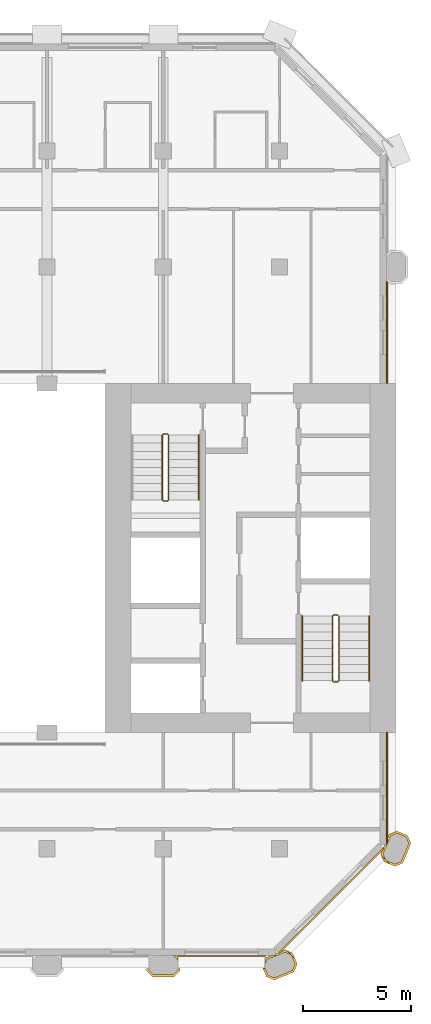
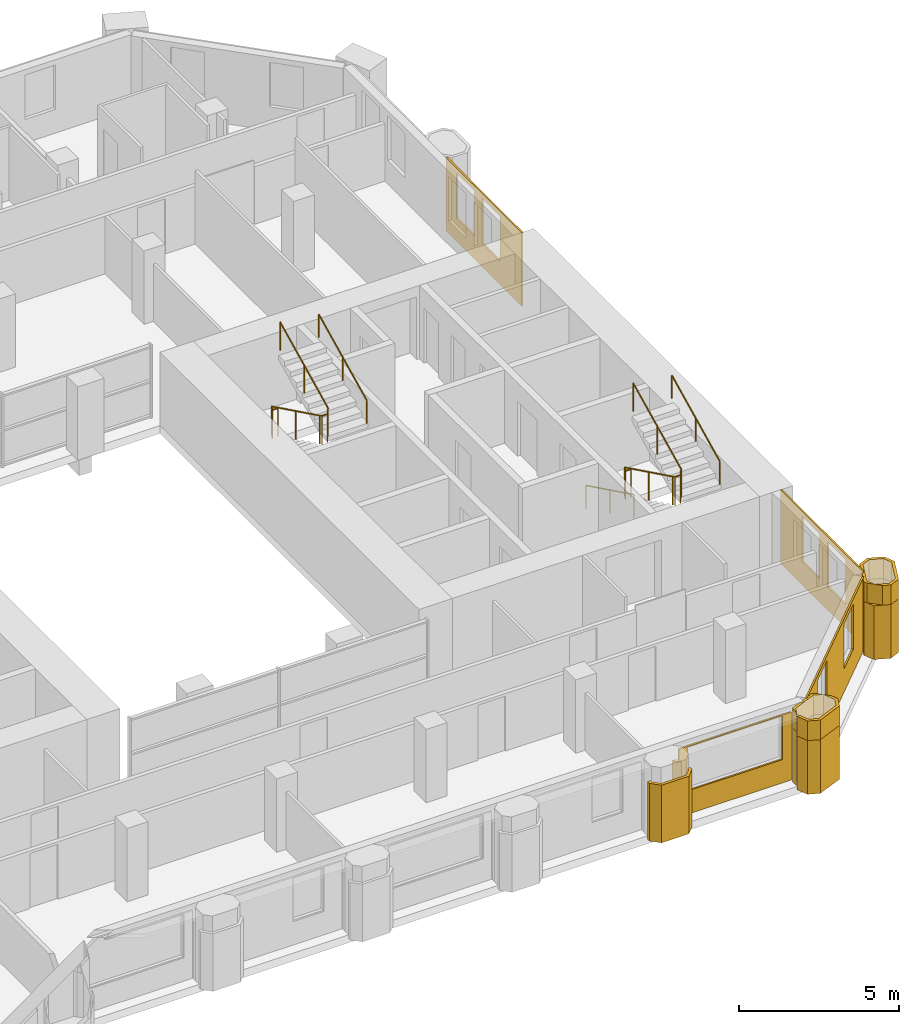
# One storey, part 13 of 14: 11 coverings, 5 railings.
"""IFC4 building model written with IfcOpenShell, lengths in metres."""

from ifc_helpers import new_model, si_unit, direction, frame, origin, origin_2d, place, context, subcontext, project, spatial, polyline, circle, outline, extrude, material, layer, layer_set, type_object, element, save


model = new_model("IFC4")

# Units and contexts
model_context = context("Model", 3, precision=1e-05, world=origin(), true_north=direction((0.0, 1.0)))
body_context = subcontext(model_context, "Body", "Model", "MODEL_VIEW")
ifc_project = project(units=[si_unit("LENGTHUNIT", "METRE"), si_unit("AREAUNIT", "SQUARE_METRE"), si_unit("VOLUMEUNIT", "CUBIC_METRE"), si_unit("PLANEANGLEUNIT", "RADIAN"), si_unit("MASSUNIT", "GRAM", prefix="KILO")], contexts=[model_context])

# Site, building, storey
site_placement = place(None, origin())
site = spatial("IfcSite", under=ifc_project, at=site_placement, CompositionType="ELEMENT")
building_placement = place(site_placement, origin())
building = spatial("IfcBuilding", under=site, at=building_placement, Name="Tabaq Tower and Sports Hall", CompositionType="ELEMENT")
storey_placement = place(building_placement, frame((0.0, 0.0, 230.199951171875)))
storey = spatial("IfcBuildingStorey", under=building, at=storey_placement, Name="L58", CompositionType="ELEMENT", Elevation=230.199951171875)

# Coverings
ifc_material_1 = material(Name="Precast concrete C60/75", Category="concrete")
ifc_layer_1 = layer(ifc_material_1, 0.10009765625)
ifc_layer_set_1 = layer_set([ifc_layer_1], Name="Column cladding 100")
covering_type_1 = type_object("IfcCoveringType", Name="Column cladding 100", PredefinedType="CLADDING", material=ifc_layer_set_1)
covering_1_placement = place(storey_placement, origin())
element("IfcCovering", 1, at=covering_1_placement, inside=storey, type_object=covering_type_1, Name="Column cladding L58 PC-7B-H3", PredefinedType="CLADDING", context=body_context, shape_type="SweptSolid", body=[
    extrude(outline(polyline([(31.62548828125, 5.24951171875), (31.724365234375, 5.24951171875), (31.724365234375, 5.1748046875), (31.94970703125, 4.949462890625), (32.850341796875, 4.949462890625), (33.07568359375, 5.1748046875), (33.07568359375, 5.24951171875), (33.17431640625, 5.24951171875), (33.17431640625, 5.1337890625), (32.89111328125, 4.8505859375), (31.908935546875, 4.8505859375), (31.62548828125, 5.1337890625), (31.62548828125, 5.24951171875)])), origin(), (0.0, 0.0, 1.0), 2.199951171875),
])
covering_2_placement = place(storey_placement, origin())
element("IfcCovering", 2, at=covering_2_placement, inside=storey, type_object=covering_type_1, Name="Column cladding L58 PC-7B-H3 3", PredefinedType="CLADDING", context=body_context, shape_type="SweptSolid", body=[
    extrude(outline(polyline([(33.074462890625, 5.62646484375), (32.8515625, 5.849365234375), (32.9912109375, 5.849365234375), (33.074462890625, 5.76611328125), (33.074462890625, 5.62646484375)])), origin(), (0.0, 0.0, 1.0), 2.199951171875),
])
covering_3_placement = place(storey_placement, origin())
element("IfcCovering", 3, at=covering_3_placement, inside=storey, type_object=covering_type_1, Name="Column cladding L58 PC-8B-H3", PredefinedType="CLADDING", context=body_context, shape_type="SweptSolid", body=[
    extrude(outline(polyline([(37.023681640625, 5.249755859375), (37.125244140625, 5.249755859375), (37.125244140625, 5.26416015625), (37.26220703125, 4.93359375), (37.556396484375, 4.811767578125), (38.38818359375, 5.15625), (38.510009765625, 5.450439453125), (38.337646484375, 5.866455078125), (38.04345703125, 5.98828125), (37.2119140625, 5.643798828125), (37.125244140625, 5.434814453125), (37.125244140625, 5.694580078125), (37.1357421875, 5.7197265625), (37.44921875, 5.849609375), (37.614013671875, 5.849609375), (37.614013671875, 5.91796875), (37.767578125, 5.9814453125), (37.799072265625, 5.9501953125), (37.875, 6.026123046875), (38.04345703125, 6.095947265625), (38.413818359375, 5.9423828125), (38.61767578125, 5.450439453125), (38.46435546875, 5.080078125), (37.556396484375, 4.7041015625), (37.186279296875, 4.857421875), (37.023681640625, 5.249755859375)])), origin(), (0.0, 0.0, 1.0), 2.050048828125),
])
covering_4_placement = place(storey_placement, frame((0.0, 0.0, 2.050048828125)))
element("IfcCovering", 4, at=covering_4_placement, inside=storey, type_object=covering_type_1, Name="Column cladding L58 PC-8B-H3 head", PredefinedType="CLADDING", context=body_context, shape_type="SweptSolid", body=[
    extrude(outline(polyline([(37.12548828125, 5.2626953125), (37.125732421875, 5.2626953125), (37.261962890625, 4.933349609375), (37.556396484375, 4.811279296875), (38.388427734375, 5.156005859375), (38.51025390625, 5.450439453125), (38.33935546875, 5.863525390625), (38.513916015625, 5.68896484375), (38.517333984375, 5.692138671875), (38.617431640625, 5.450439453125), (38.464111328125, 5.080322265625), (37.556396484375, 4.704345703125), (37.1865234375, 4.857666015625), (37.024169921875, 5.24951171875), (37.12548828125, 5.24951171875), (37.12548828125, 5.2626953125)])), origin(), (0.0, 0.0, 1.0), 0.75),
])
covering_5_placement = place(storey_placement, frame((0.0, 0.0, 2.050048828125)))
element("IfcCovering", 5, at=covering_5_placement, inside=storey, type_object=covering_type_1, Name="Column cladding L58 PC-8B-H3 head 2", PredefinedType="CLADDING", context=body_context, shape_type="SweptSolid", body=[
    extrude(outline(polyline([(37.125732421875, 5.4365234375), (37.12548828125, 5.4365234375), (37.12548828125, 5.694580078125), (37.135986328125, 5.7197265625), (37.44921875, 5.849365234375), (37.6142578125, 5.849365234375), (37.6142578125, 5.917724609375), (37.767333984375, 5.981201171875), (37.799072265625, 5.94970703125), (37.875, 6.02587890625), (38.04345703125, 6.095458984375), (38.15234375, 6.050537109375), (38.3349609375, 5.867919921875), (38.04345703125, 5.988525390625), (37.211669921875, 5.64404296875), (37.125732421875, 5.4365234375)])), origin(), (0.0, 0.0, 1.0), 0.75),
])
covering_6_placement = place(storey_placement, origin())
element("IfcCovering", 6, at=covering_6_placement, inside=storey, type_object=covering_type_1, Name="Column cladding L58 PC-9C-H3", PredefinedType="CLADDING", context=body_context, shape_type="SweptSolid", body=[
    extrude(outline(polyline([(42.657470703125, 10.186279296875), (42.504150390625, 10.556396484375), (42.573974609375, 10.72509765625), (42.64990234375, 10.801025390625), (42.618408203125, 10.83251953125), (42.68212890625, 10.986083984375), (42.750244140625, 10.986083984375), (42.750244140625, 11.04296875), (42.810302734375, 11.04296875), (42.810302734375, 11.295654296875), (42.880126953125, 11.46435546875), (43.25048828125, 11.61767578125), (43.742431640625, 11.413818359375), (43.895751953125, 11.04345703125), (43.519775390625, 10.1357421875), (43.149658203125, 9.982421875), (42.657470703125, 10.186279296875)]), holes=[polyline([(43.66650390625, 11.337646484375), (43.25048828125, 11.510009765625), (42.956298828125, 11.38818359375), (42.61181640625, 10.556396484375), (42.733642578125, 10.26220703125), (43.149658203125, 10.08984375), (43.44384765625, 10.2119140625), (43.788330078125, 11.04345703125), (43.66650390625, 11.337646484375)])]), origin(), (0.0, 0.0, 1.0), 2.050048828125),
])
covering_7_placement = place(storey_placement, frame((0.0, 0.0, 2.050048828125)))
element("IfcCovering", 7, at=covering_7_placement, inside=storey, type_object=covering_type_1, Name="Column cladding L58 PC-9C-H3 head", PredefinedType="CLADDING", context=body_context, shape_type="SweptSolid", body=[
    extrude(outline(polyline([(42.504150390625, 10.556396484375), (42.573974609375, 10.72509765625), (42.64990234375, 10.801025390625), (42.618408203125, 10.83251953125), (42.68212890625, 10.986083984375), (42.750244140625, 10.986083984375), (42.750244140625, 11.04296875), (42.810302734375, 11.04296875), (42.810302734375, 11.295654296875), (42.880126953125, 11.46435546875), (43.25048828125, 11.61767578125), (43.742431640625, 11.413818359375), (43.895751953125, 11.04345703125), (43.519775390625, 10.1357421875), (43.149658203125, 9.982421875), (42.907470703125, 10.082763671875), (42.91064453125, 10.0859375), (42.735107421875, 10.26171875), (43.149658203125, 10.08984375), (43.44384765625, 10.2119140625), (43.788330078125, 11.04345703125), (43.66650390625, 11.337646484375), (43.25048828125, 11.510009765625), (42.956298828125, 11.38818359375), (42.61181640625, 10.556396484375), (42.73291015625, 10.263916015625), (42.73291015625, 10.263671875), (42.54931640625, 10.447509765625), (42.504150390625, 10.556396484375)])), origin(), (0.0, 0.0, 1.0), 0.75),
])

# Railings
ifc_material_2 = material(Name="Stainless steel", Category="steel")
railing_type_1 = type_object("IfcRailingType", Name="Stair guard", PredefinedType="GUARDRAIL", material=ifc_material_2)
railing_1_placement = place(storey_placement, frame((40.5, 21.64990234375, 0.0)))
element("IfcRailing", 8, at=railing_1_placement, inside=storey, type_object=railing_type_1, Name="L58 ST3 stair guard 1", PredefinedType="GUARDRAIL", context=body_context, shape_type="SweptSolid", body=[
    extrude(circle(Radius=0.02392578125, at=origin_2d()), frame((0.0, 0.0, 1.076171875), z_axis=(-1.0, 0.0, 0.0), x_axis=(0.0, -1.0, 0.0)), (0.0, 0.0, 1.0), 0.199951171875),
    extrude(circle(Radius=0.02392578125, at=origin_2d()), frame((-0.199951171875, 0.0, 1.076171875), z_axis=(-0.254733673405, -0.25349107012, 0.933195066962), x_axis=(0.705375805398, -0.708833529934, 0.0)), (0.0, 0.0, 1.0), 0.196533203125),
    extrude(circle(Radius=0.02392578125, at=origin_2d()), frame((-0.25, -0.0498046875, 1.25927734375), z_axis=(0.0, -0.898368975038, 0.439241601728), x_axis=(1.0, 0.0, 0.0)), (0.0, 0.0, 1.0), 3.33935546875),
    extrude(circle(Radius=0.02392578125, at=origin_2d()), frame((-0.25, -3.0498046875, 2.72607421875), z_axis=(0.707106781187, -0.707106781187, 0.0), x_axis=(0.707106781187, 0.707106781187, 0.0)), (0.0, 0.0, 1.0), 0.07080078125),
    extrude(circle(Radius=0.02392578125, at=origin_2d()), frame((-0.199951171875, -3.099853515625, 2.72607421875), z_axis=(1.0, 0.0, 0.0), x_axis=(0.0, 1.0, 0.0)), (0.0, 0.0, 1.0), 0.199951171875),
    extrude(circle(Radius=0.02392578125, at=origin_2d()), frame((0.0, -3.099853515625, 2.72607421875), z_axis=(0.254653276557, 0.254653276557, 0.932900539971), x_axis=(-0.707106781187, 0.707106781187, 0.0)), (0.0, 0.0, 1.0), 0.196533203125),
    extrude(circle(Radius=0.02392578125, at=origin_2d()), frame((0.050048828125, -3.0498046875, 2.90966796875), z_axis=(0.0, 0.898397823093, 0.439182594671), x_axis=(-1.0, 0.0, 0.0)), (0.0, 0.0, 1.0), 3.33935546875),
    extrude(circle(Radius=0.02099609375, at=origin_2d()), origin(), (0.0, 0.0, 1.0), 1.052001953125),
    extrude(circle(Radius=0.02099609375, at=origin_2d()), frame((-0.199951171875, 0.0, 0.0)), (0.0, 0.0, 1.0), 1.052001953125),
    extrude(circle(Radius=0.02099609375, at=origin_2d()), frame((-0.25, -0.0498046875, 0.183349609375)), (0.0, 0.0, 1.0), 1.052001953125),
    extrude(circle(Radius=0.02099609375, at=origin_2d()), frame((-0.25, -1.5498046875, 0.916748046875)), (0.0, 0.0, 1.0), 1.052001953125),
    extrude(circle(Radius=0.02099609375, at=origin_2d()), frame((-0.25, -3.0498046875, 1.650146484375)), (0.0, 0.0, 1.0), 1.052001953125),
    extrude(circle(Radius=0.02099609375, at=origin_2d()), frame((-0.199951171875, -3.099853515625, 1.650146484375)), (0.0, 0.0, 1.0), 1.052001953125),
    extrude(circle(Radius=0.02099609375, at=origin_2d()), frame((0.0, -3.099853515625, 1.650146484375)), (0.0, 0.0, 1.0), 1.052001953125),
    extrude(circle(Radius=0.02099609375, at=origin_2d()), frame((0.050048828125, -3.0498046875, 1.83349609375)), (0.0, 0.0, 1.0), 1.052001953125),
    extrude(circle(Radius=0.02099609375, at=origin_2d()), frame((0.050048828125, -1.5498046875, 2.56689453125)), (0.0, 0.0, 1.0), 1.052001953125),
    extrude(circle(Radius=0.02099609375, at=origin_2d()), frame((0.050048828125, -0.0498046875, 3.300048828125)), (0.0, 0.0, 1.0), 1.052001953125),
])
railing_2_placement = place(storey_placement, frame((32.60009765625, 30.050048828125, 0.0)))
element("IfcRailing", 9, at=railing_2_placement, inside=storey, type_object=railing_type_1, Name="L58 ST4 stair guard 1", PredefinedType="GUARDRAIL", context=body_context, shape_type="SweptSolid", body=[
    extrude(circle(Radius=0.02392578125, at=origin_2d()), frame((0.0, 0.0, 1.076171875), z_axis=(-1.0, 0.0, 0.0), x_axis=(0.0, -1.0, 0.0)), (0.0, 0.0, 1.0), 0.2001953125),
    extrude(circle(Radius=0.02392578125, at=origin_2d()), frame((-0.2001953125, 0.0, 1.076171875), z_axis=(-0.25349107012, -0.254733673405, 0.933195066962), x_axis=(0.708833529934, -0.705375805398, 0.0)), (0.0, 0.0, 1.0), 0.196533203125),
    extrude(circle(Radius=0.02392578125, at=origin_2d()), frame((-0.25, -0.050048828125, 1.25927734375), z_axis=(0.0, -0.898368975038, 0.439241601728), x_axis=(1.0, 0.0, 0.0)), (0.0, 0.0, 1.0), 3.33935546875),
    extrude(circle(Radius=0.02392578125, at=origin_2d()), frame((-0.25, -3.050048828125, 2.72607421875), z_axis=(0.705375805398, -0.708833529934, 0.0), x_axis=(0.708833529934, 0.705375805398, 0.0)), (0.0, 0.0, 1.0), 0.070556640625),
    extrude(circle(Radius=0.02392578125, at=origin_2d()), frame((-0.2001953125, -3.10009765625, 2.72607421875), z_axis=(1.0, 0.0, 0.0), x_axis=(0.0, 1.0, 0.0)), (0.0, 0.0, 1.0), 0.2001953125),
    extrude(circle(Radius=0.02392578125, at=origin_2d()), frame((0.0, -3.10009765625, 2.72607421875), z_axis=(0.25349107012, 0.254733673405, 0.933195066962), x_axis=(-0.708833529934, 0.705375805398, 0.0)), (0.0, 0.0, 1.0), 0.196533203125),
    extrude(circle(Radius=0.02392578125, at=origin_2d()), frame((0.0498046875, -3.050048828125, 2.90966796875), z_axis=(0.0, 0.898397823093, 0.439182594671), x_axis=(-1.0, 0.0, 0.0)), (0.0, 0.0, 1.0), 3.33935546875),
    extrude(circle(Radius=0.02099609375, at=origin_2d()), origin(), (0.0, 0.0, 1.0), 1.052001953125),
    extrude(circle(Radius=0.02099609375, at=origin_2d()), frame((-0.2001953125, 0.0, 0.0)), (0.0, 0.0, 1.0), 1.052001953125),
    extrude(circle(Radius=0.02099609375, at=origin_2d()), frame((-0.25, -0.050048828125, 0.183349609375)), (0.0, 0.0, 1.0), 1.052001953125),
    extrude(circle(Radius=0.02099609375, at=origin_2d()), frame((-0.25, -1.550048828125, 0.916748046875)), (0.0, 0.0, 1.0), 1.052001953125),
    extrude(circle(Radius=0.02099609375, at=origin_2d()), frame((-0.25, -3.050048828125, 1.650146484375)), (0.0, 0.0, 1.0), 1.052001953125),
    extrude(circle(Radius=0.02099609375, at=origin_2d()), frame((-0.2001953125, -3.10009765625, 1.650146484375)), (0.0, 0.0, 1.0), 1.052001953125),
    extrude(circle(Radius=0.02099609375, at=origin_2d()), frame((0.0, -3.10009765625, 1.650146484375)), (0.0, 0.0, 1.0), 1.052001953125),
    extrude(circle(Radius=0.02099609375, at=origin_2d()), frame((0.0498046875, -3.050048828125, 1.83349609375)), (0.0, 0.0, 1.0), 1.052001953125),
    extrude(circle(Radius=0.02099609375, at=origin_2d()), frame((0.0498046875, -1.550048828125, 2.56689453125)), (0.0, 0.0, 1.0), 1.052001953125),
    extrude(circle(Radius=0.02099609375, at=origin_2d()), frame((0.0498046875, -0.050048828125, 3.300048828125)), (0.0, 0.0, 1.0), 1.052001953125),
])
ifc_material_3 = material(Name="Stainless steel", Category="steel")
railing_type_2 = type_object("IfcRailingType", Name="Stair handrail", PredefinedType="HANDRAIL", material=ifc_material_3)
railing_3_placement = place(storey_placement, frame((38.85009765625, 21.60009765625, 0.183349609375)))
element("IfcRailing", 10, at=railing_3_placement, inside=storey, type_object=railing_type_2, Name="L58 ST3 stair handrail 1", PredefinedType="HANDRAIL", context=body_context, shape_type="SweptSolid", body=[
    extrude(circle(Radius=0.02392578125, at=origin_2d()), frame((0.0, 0.0, 0.8759765625), z_axis=(0.0, -0.898368975038, 0.439241601728), x_axis=(1.0, 0.0, 0.0)), (0.0, 0.0, 1.0), 3.33935546875),
    extrude(circle(Radius=0.02099609375, at=origin_2d()), origin(), (0.0, 0.0, 1.0), 0.851806640625),
    extrude(circle(Radius=0.02099609375, at=origin_2d()), frame((0.0, -1.5, 0.7333984375)), (0.0, 0.0, 1.0), 0.851806640625),
    extrude(circle(Radius=0.02099609375, at=origin_2d()), frame((0.0, -3.0, 1.466796875)), (0.0, 0.0, 1.0), 0.851806640625),
])
for number, where, name in (
    (11, (41.949951171875, 18.60009765625, 1.83349609375), "L58 ST3 stair handrail 2"),
    (12, (34.050048828125, 27.0, 1.83349609375), "L58 ST4 stair handrail 2"),
):
    element("IfcRailing", number, at=place(storey_placement, frame(where)), inside=storey, type_object=railing_type_2, Name=name, PredefinedType="HANDRAIL", context=body_context, shape_type="SweptSolid", body=[
        extrude(circle(Radius=0.02392578125, at=origin_2d()), frame((0.0, 0.0, 0.8759765625), z_axis=(0.0, 0.898397823093, 0.439182594671), x_axis=(-1.0, 0.0, 0.0)), (0.0, 0.0, 1.0), 3.33935546875),
        extrude(circle(Radius=0.02099609375, at=origin_2d()), origin(), (0.0, 0.0, 1.0), 0.851806640625),
        extrude(circle(Radius=0.02099609375, at=origin_2d()), frame((0.0, 1.5, 0.7333984375)), (0.0, 0.0, 1.0), 0.851806640625),
        extrude(circle(Radius=0.02099609375, at=origin_2d()), frame((0.0, 3.0, 1.466552734375)), (0.0, 0.0, 1.0), 0.851806640625),
    ])

# Coverings
ifc_material_4 = material(Name="Precast concrete C60/75", Category="concrete")
ifc_layer_2 = layer(ifc_material_4, 0.06005859375)
ifc_layer_set_2 = layer_set([ifc_layer_2], Name="White precast cladding panel 60 C60/75")
covering_type_2 = type_object("IfcCoveringType", Name="White precast cladding panel 60 C60/75", PredefinedType="CLADDING", material=ifc_layer_set_2)
covering_8_placement = place(storey_placement, frame((33.0849609375, 5.820068359375, 0.0), z_axis=(0.0, 0.0, 1.0), x_axis=(1.0, 0.0, 0.0)))
element("IfcCovering", 13, at=covering_8_placement, inside=storey, type_object=covering_type_2, Name="White precast cladding panel L58 wall00 6", PredefinedType="CLADDING", context=body_context, shape_type="SweptSolid", body=[
    extrude(outline(polyline([(0.0, 0.0), (4.050048828125, 0.0), (4.050048828125, 2.590087890625), (0.0, 2.590087890625), (0.0, 0.0)]), holes=[polyline([(3.72509765625, 0.89013671875), (0.304931640625, 0.89013671875), (0.304931640625, 2.56005859375), (3.72509765625, 2.56005859375), (3.72509765625, 0.89013671875)])]), frame((0.0, 0.030029296875, 0.0), z_axis=(0.0, -1.0, 0.0), x_axis=(1.0, 0.0, 0.0)), (0.0, 0.0, 1.0), 0.06005859375),
])
covering_9_placement = place(storey_placement, frame((37.77783203125, 5.9716796875, 0.0), z_axis=(0.0, 0.0, 1.0), x_axis=(0.707088985397, 0.707124576528, 0.0)))
element("IfcCovering", 14, at=covering_9_placement, inside=storey, type_object=covering_type_2, Name="White precast cladding panel L58 wall01", PredefinedType="CLADDING", context=body_context, shape_type="SweptSolid", body=[
    extrude(outline(polyline([(0.0, 0.0), (6.859619140625, 0.0), (6.859619140625, 2.800048828125), (0.0, 2.800048828125), (0.0, 0.0)]), holes=[polyline([(1.269775390625, 2.610107421875), (2.389892578125, 2.610107421875), (2.389892578125, 0.89013671875), (1.269775390625, 0.89013671875), (1.269775390625, 2.610107421875)]), polyline([(4.4697265625, 2.610107421875), (5.58984375, 2.610107421875), (5.58984375, 0.89013671875), (4.4697265625, 0.89013671875), (4.4697265625, 2.610107421875)])]), frame((0.0, 0.030029296875, 0.0), z_axis=(0.0, -1.0, 0.0), x_axis=(1.0, 0.0, 0.0)), (0.0, 0.0, 1.0), 0.06005859375),
])
covering_10_placement = place(storey_placement, frame((42.780029296875, 11.043212890625, 0.0), z_axis=(0.0, 0.0, 1.0), x_axis=(0.0, 1.0, 0.0)))
element("IfcCovering", 15, at=covering_10_placement, inside=storey, type_object=covering_type_2, Name="White precast cladding panel L58 wall02", PredefinedType="CLADDING", context=body_context, shape_type="SweptSolid", body=[
    extrude(outline(polyline([(0.0, 0.0), (5.15673828125, 0.0), (5.15673828125, 2.800048828125), (0.0, 2.800048828125), (0.0, 0.0)]), holes=[polyline([(1.096923828125, 2.610107421875), (2.216796875, 2.610107421875), (2.216796875, 0.89013671875), (1.096923828125, 0.89013671875), (1.096923828125, 2.610107421875)]), polyline([(2.69677734375, 2.610107421875), (3.81689453125, 2.610107421875), (3.81689453125, 0.89013671875), (2.69677734375, 0.89013671875), (2.69677734375, 2.610107421875)])]), frame((0.0, 0.030029296875, 0.0), z_axis=(0.0, -1.0, 0.0), x_axis=(1.0, 0.0, 0.0)), (0.0, 0.0, 1.0), 0.06005859375),
])
covering_11_placement = place(storey_placement, frame((42.780029296875, 32.39990234375, 0.0), z_axis=(0.0, 0.0, 1.0), x_axis=(0.0, 1.0, 0.0)))
element("IfcCovering", 16, at=covering_11_placement, inside=storey, type_object=covering_type_2, Name="White precast cladding panel L58 wall02-1", PredefinedType="CLADDING", context=body_context, shape_type="SweptSolid", body=[
    extrude(outline(polyline([(0.0, 0.0), (4.715087890625, 0.0), (4.715087890625, 2.800048828125), (0.0, 2.800048828125), (0.0, 0.0)]), holes=[polyline([(1.340087890625, 2.610107421875), (2.4599609375, 2.610107421875), (2.4599609375, 0.89013671875), (1.340087890625, 0.89013671875), (1.340087890625, 2.610107421875)]), polyline([(2.93994140625, 2.610107421875), (4.06005859375, 2.610107421875), (4.06005859375, 0.89013671875), (2.93994140625, 0.89013671875), (2.93994140625, 2.610107421875)])]), frame((0.0, 0.030029296875, 0.0), z_axis=(0.0, -1.0, 0.0), x_axis=(1.0, 0.0, 0.0)), (0.0, 0.0, 1.0), 0.06005859375),
])

save(model, "model.ifc")
